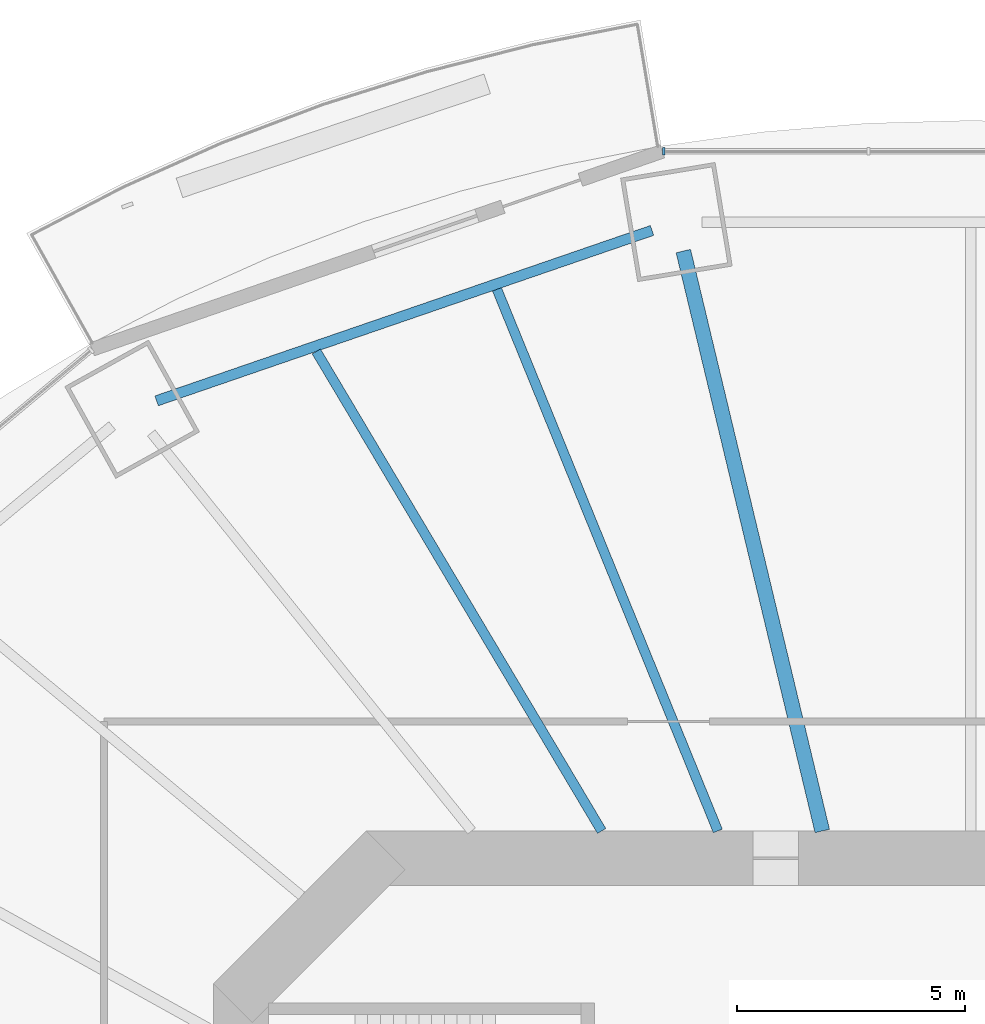
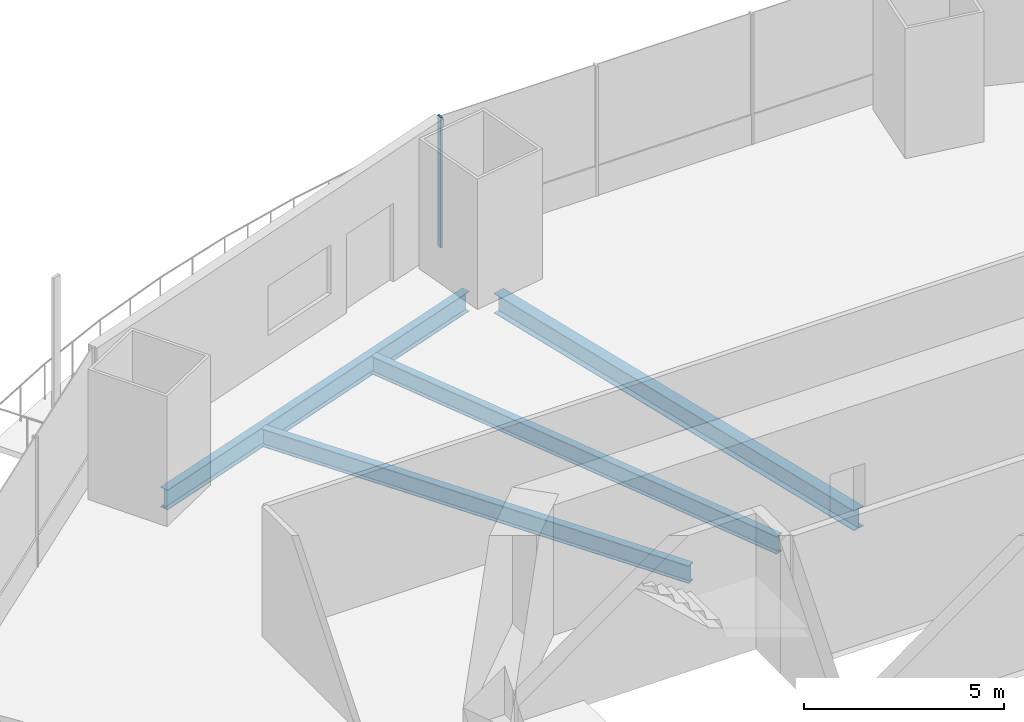
# One storey, part 7 of 22: 4 beams, 1 member, 1 element without a shape of its own.
"""IFC4 building model written with IfcOpenShell, lengths in metres."""

from ifc_helpers import new_model, si_unit, direction, frame, origin, origin_2d, place, context, subcontext, project, spatial, rectangle, i_section, extrude, material, material_profile, profile_set, type_object, element, aggregate, save


model = new_model("IFC4")

# Units and contexts
model_context = context("Model", 3, precision=1e-05, world=origin(), true_north=direction((0.0, 1.0)))
body_context = subcontext(model_context, "Body", "Model", "MODEL_VIEW")
ifc_project = project(units=[si_unit("LENGTHUNIT", "METRE"), si_unit("AREAUNIT", "SQUARE_METRE"), si_unit("VOLUMEUNIT", "CUBIC_METRE"), si_unit("PLANEANGLEUNIT", "RADIAN"), si_unit("MASSUNIT", "GRAM", prefix="KILO")], contexts=[model_context])

# Site, building, storey
site_placement = place(None, origin())
site = spatial("IfcSite", under=ifc_project, at=site_placement, CompositionType="ELEMENT")
building_placement = place(site_placement, origin())
building = spatial("IfcBuilding", under=site, at=building_placement, Name="Marenthal Gate Tower", CompositionType="ELEMENT")
storey_placement = place(building_placement, frame((0.0, 0.0, 95.25)))
storey = spatial("IfcBuildingStorey", under=building, at=storey_placement, Name="L19", CompositionType="ELEMENT", Elevation=95.25)

# Curtain wall, member
ifc_material_1 = material(Name="Aluminium and glass", Category="aluminium")
curtain_wall_type = type_object("IfcCurtainWallType", Name="Curtain wall typical low", PredefinedType="NOTDEFINED", material=ifc_material_1)
curtain_wall_placement = place(storey_placement, origin())
curtain_wall = element("IfcCurtainWall", 1, at=curtain_wall_placement, inside=storey, type_object=curtain_wall_type, Name="Curtain wall L19 bay 4", PredefinedType="NOTDEFINED")
ifc_material_2 = material(Name="Aluminium", Category="aluminium")
ifc_material_profile_1 = material_profile(ifc_material_2, rectangle(XDim=0.159912109375, YDim=0.06005859375, at=origin_2d()), Name="60x160 aluminium mullion")
ifc_profile_set_1 = profile_set([ifc_material_profile_1], Name="Aluminium")
member_type = type_object("IfcMemberType", Name="Mullion 60x160 typical low", PredefinedType="MULLION", material=ifc_profile_set_1)
member_placement = place(storey_placement, frame((-6.7333984375, 28.494873046875, 0.0), z_axis=(0.0, 0.0, 1.0), x_axis=(0.0, -1.0, 0.0)))
member = element("IfcMember", 2, at=member_placement, type_object=member_type, Name="Mullion L19 bay 4.4", PredefinedType="MULLION", context=body_context, shape_type="SweptSolid", body=[
    extrude(rectangle(XDim=0.159912109375, YDim=0.06005859375, at=origin_2d()), origin(), (0.0, 0.0, 1.0), 3.969970703125),
])
aggregate(curtain_wall, [member])

# Beams
ifc_material_3 = material(Name="Steel S355", Category="steel")
ifc_material_profile_2 = material_profile(ifc_material_3, i_section(OverallWidth=0.2119140625, OverallDepth=0.5439453125, WebThickness=0.01318359375, FlangeThickness=0.021240234375, FilletRadius=0.0126953125, at=origin_2d()), Name="W530X123")
ifc_profile_set_2 = profile_set([ifc_material_profile_2], Name="Steel S355")
beam_type_1 = type_object("IfcBeamType", Name="W530X123 beam", PredefinedType="BEAM", material=ifc_profile_set_2)
beam_1_placement = place(storey_placement, frame((-10.3876953125, 25.4716796875, -0.451904296875), z_axis=(0.377613822907, -0.925963174618, 0.0), x_axis=(0.925963174618, 0.377613822907, 0.0)))
element("IfcBeam", 3, at=beam_1_placement, inside=storey, type_object=beam_type_1, Name="BM-L19-23", PredefinedType="BEAM", context=body_context, shape_type="SweptSolid", body=[
    extrude(i_section(OverallWidth=0.2119140625, OverallDepth=0.5439453125, WebThickness=0.01318359375, FlangeThickness=0.021240234375, FilletRadius=0.0126953125, at=origin_2d()), origin(), (0.0, 0.0, 1.0), 12.82080078125),
])
beam_2_placement = place(storey_placement, frame((-14.346923828125, 24.10986328125, -0.451904296875), z_axis=(0.511368740727, -0.859361397206, 0.0), x_axis=(0.859361397206, 0.511368740727, 0.0)))
element("IfcBeam", 4, at=beam_2_placement, inside=storey, type_object=beam_type_1, Name="BM-L19-24", PredefinedType="BEAM", context=body_context, shape_type="SweptSolid", body=[
    extrude(i_section(OverallWidth=0.2119140625, OverallDepth=0.5439453125, WebThickness=0.01318359375, FlangeThickness=0.021240234375, FilletRadius=0.0126953125, at=origin_2d()), origin(), (0.0, 0.0, 1.0), 12.229736328125),
])
ifc_material_4 = material(Name="Steel S355", Category="steel")
ifc_material_profile_3 = material_profile(ifc_material_4, i_section(OverallWidth=0.22900390625, OverallDepth=0.612060546875, WebThickness=0.011962890625, FlangeThickness=0.01953125, FilletRadius=0.0126953125, at=origin_2d()), Name="W610X125")
ifc_profile_set_3 = profile_set([ifc_material_profile_3], Name="Steel S355")
beam_type_2 = type_object("IfcBeamType", Name="W610X125 beam", PredefinedType="BEAM", material=ifc_profile_set_3)
beam_3_placement = place(storey_placement, frame((-6.9892578125, 26.761474609375, -0.486083984375), z_axis=(-0.945633885285, -0.325233077963, 0.0), x_axis=(0.325233077963, -0.945633885285, 0.0)))
element("IfcBeam", 5, at=beam_3_placement, inside=storey, type_object=beam_type_2, Name="BM-L19-45", PredefinedType="BEAM", context=body_context, shape_type="SweptSolid", body=[
    extrude(i_section(OverallWidth=0.22900390625, OverallDepth=0.612060546875, WebThickness=0.011962890625, FlangeThickness=0.01953125, FilletRadius=0.0126953125, at=origin_2d()), origin(), (0.0, 0.0, 1.0), 11.482177734375),
])
ifc_material_5 = material(Name="Steel S355", Category="steel")
ifc_material_profile_4 = material_profile(ifc_material_5, i_section(OverallWidth=0.324951171875, OverallDepth=0.612060546875, WebThickness=0.0126953125, FlangeThickness=0.01904296875, FilletRadius=0.0126953125, at=origin_2d()), Name="W610X155")
ifc_profile_set_4 = profile_set([ifc_material_profile_4], Name="Steel S355")
beam_type_3 = type_object("IfcBeamType", Name="W610X155 beam", PredefinedType="BEAM", material=ifc_profile_set_4)
beam_4_placement = place(storey_placement, frame((-6.302978515625, 26.31005859375, -0.486083984375), z_axis=(0.232977289633, -0.972482175937, 0.0), x_axis=(0.972482175937, 0.232977289633, 0.0)))
element("IfcBeam", 6, at=beam_4_placement, inside=storey, type_object=beam_type_3, Name="BM-L19-05", PredefinedType="BEAM", context=body_context, shape_type="SweptSolid", body=[
    extrude(i_section(OverallWidth=0.324951171875, OverallDepth=0.612060546875, WebThickness=0.0126953125, FlangeThickness=0.01904296875, FilletRadius=0.0126953125, at=origin_2d()), origin(), (0.0, 0.0, 1.0), 13.069580078125),
])

save(model, "model.ifc")
